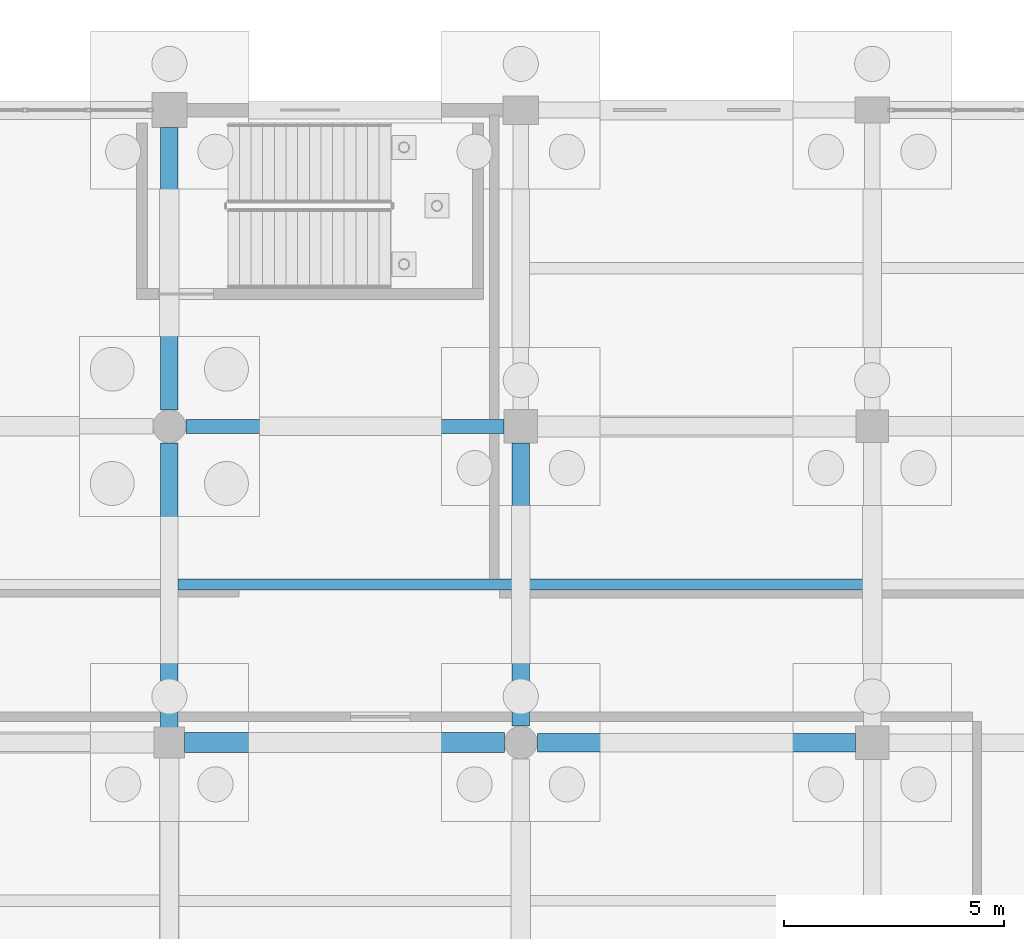
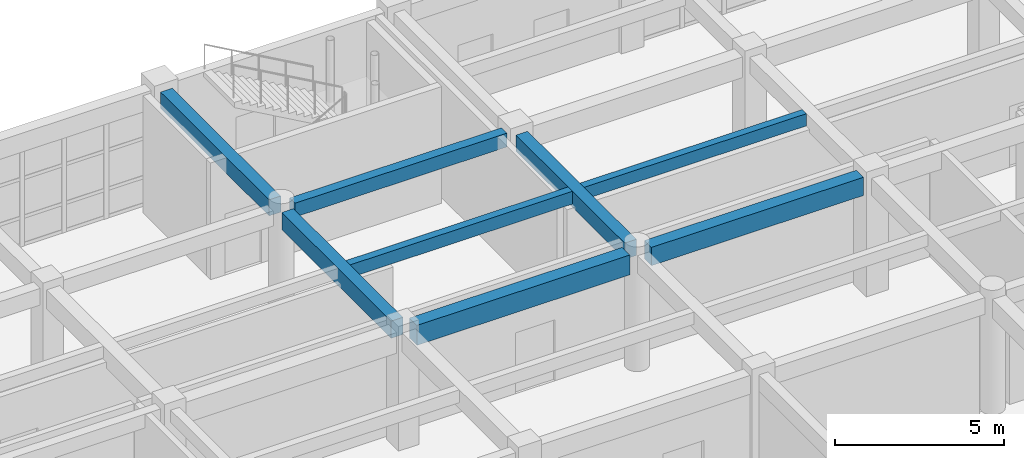
# One storey, part 100 of 166: 8 beams.
"""IFC4 building model written with IfcOpenShell, lengths in metres."""

import ifcopenshell
import ifcopenshell.guid

model = None  # the IFC model being written
_history = None  # IfcOwnerHistory: only IFC2X3 demands one
_inside = {}  # id of a spatial element -> (the spatial element, [elements in it])
_under = {}  # id of a project, library or spatial element -> (it, [spatial elements below it])
_declared = {}  # id of a project -> (the project, [libraries it declares])
_typed = {}  # id of a type object -> (the type object, [elements of that type])
_made_of = {}  # id of a material, layer set ... -> (it, [elements and type objects made of it])


def new_model(schema):
    """Start an empty IFC model of exactly this schema.

    Asked for "IFC4X3", IfcOpenShell would pick the latest addendum, in which some entities
    have other attributes; the version numbers below select the first issue.
    IFC2X3 requires an IfcOwnerHistory on every rooted entity: one is made here for all.
    """
    global model, _history
    if schema == "IFC4X3":
        model = ifcopenshell.file(schema_version=(4, 3, 0, 0))
    else:
        model = ifcopenshell.file(schema=schema)
    _inside.clear()
    _under.clear()
    _declared.clear()
    _typed.clear()
    _made_of.clear()
    _history = None
    if model.schema == "IFC2X3":
        org = make("IfcOrganization", Name="unknown")
        user = make(
            "IfcPersonAndOrganization",
            ThePerson=make("IfcPerson", FamilyName="unknown"),
            TheOrganization=org,
        )
        app = make(
            "IfcApplication",
            ApplicationDeveloper=org,
            Version="unknown",
            ApplicationFullName="unknown",
            ApplicationIdentifier="unknown",
        )
        _history = make(
            "IfcOwnerHistory",
            OwningUser=user,
            OwningApplication=app,
            ChangeAction="ADDED",
            CreationDate=0,
        )
    return model


def make(cls, **values):
    """One entity of the class cls with the attributes given. An attribute that is None is left unset."""
    return model.create_entity(
        cls, **{name: value for name, value in values.items() if value is not None}
    )


def rooted(cls, **values):
    """An entity with a GlobalId (a new one), such as an element, a storey or a relation."""
    return make(cls, GlobalId=ifcopenshell.guid.new(), OwnerHistory=_history, **values)


def si_unit(unit_type, name, prefix=None):
    """IfcSIUnit, for example si_unit("LENGTHUNIT", "METRE", prefix="MILLI")."""
    return make("IfcSIUnit", UnitType=unit_type, Prefix=prefix, Name=name)


def assignment(units):
    """IfcUnitAssignment: the units of a project."""
    return None if units is None else make("IfcUnitAssignment", Units=units)


def point(xyz):
    """IfcCartesianPoint."""
    return None if xyz is None else make("IfcCartesianPoint", Coordinates=xyz)


def direction(xyz):
    """IfcDirection."""
    return None if xyz is None else make("IfcDirection", DirectionRatios=xyz)


def frame(location, z_axis=None, x_axis=None):
    """IfcAxis2Placement3D, a coordinate frame: its origin and axes. An axis left out is left unset."""
    return make(
        "IfcAxis2Placement3D",
        Location=point(location),
        Axis=direction(z_axis),
        RefDirection=direction(x_axis),
    )


def frame_2d(location, x_axis=None):
    """IfcAxis2Placement2D, a coordinate frame in the plane: its origin and x axis."""
    return make(
        "IfcAxis2Placement2D", Location=point(location), RefDirection=direction(x_axis)
    )


def origin():
    """The frame at (0, 0, 0) with its axes left unset."""
    return frame((0.0, 0.0, 0.0))


def origin_2d():
    """The frame at (0, 0) in the plane with its x axis left unset."""
    return frame_2d((0.0, 0.0))


def place(relative_to, where):
    """IfcLocalPlacement: puts the frame where relative to a parent placement (None: the world)."""
    return make(
        "IfcLocalPlacement", PlacementRelTo=relative_to, RelativePlacement=where
    )


def context(
    kind, dimensions, precision=None, world=None, true_north=None, identifier=None
):
    """IfcGeometricRepresentationContext, for example the 3D "Model" context."""
    return make(
        "IfcGeometricRepresentationContext",
        ContextIdentifier=identifier,
        ContextType=kind,
        CoordinateSpaceDimension=dimensions,
        Precision=precision,
        WorldCoordinateSystem=world,
        TrueNorth=true_north,
    )


def subcontext(parent, identifier, kind, view, scale=None):
    """IfcGeometricRepresentationSubContext, for example "Body" below "Model"."""
    return make(
        "IfcGeometricRepresentationSubContext",
        ContextIdentifier=identifier,
        ContextType=kind,
        ParentContext=parent,
        TargetScale=scale,
        TargetView=view,
    )


def project(units=None, contexts=None):
    """IfcProject with its units and contexts."""
    return rooted(
        "IfcProject",
        Name="project",
        RepresentationContexts=contexts,
        UnitsInContext=assignment(units),
    )


def spatial(cls, under=None, at=None, **own):
    """A site, building, storey or space (cls), placed at a placement, below another one or the project."""
    s = rooted(cls, ObjectPlacement=at, **own)
    if under is not None:
        _under.setdefault(under.id(), (under, []))[1].append(s)
    return s


def profile(cls, at=None, kind="AREA", **sizes):
    """A parametric profile (cls). Its sizes go by their IFC names, for example OverallWidth=200.0."""
    return make(cls, ProfileType=kind, Position=at, **sizes)


def rectangle(**sizes):
    """IfcRectangleProfileDef."""
    return profile("IfcRectangleProfileDef", **sizes)


def extrude(swept, where, along, depth):
    """IfcExtrudedAreaSolid: the profile swept, set in the frame where, extruded along a direction by depth."""
    return make(
        "IfcExtrudedAreaSolid",
        SweptArea=swept,
        Position=where,
        ExtrudedDirection=direction(along),
        Depth=depth,
    )


def shape(context_of_items, identifier, shape_type, items):
    """IfcShapeRepresentation: the items that make up one representation, for example the "Body"."""
    return make(
        "IfcShapeRepresentation",
        ContextOfItems=context_of_items,
        RepresentationIdentifier=identifier,
        RepresentationType=shape_type,
        Items=items,
    )


def material(Name=None, Category=None):
    """IfcMaterial."""
    return make("IfcMaterial", Name=Name, Category=Category)


def material_profile(
    of_material, cross_section, Name=None, Category=None, Priority=None
):
    """IfcMaterialProfile: a cross section and its material."""
    return make(
        "IfcMaterialProfile",
        Name=Name,
        Material=of_material,
        Profile=cross_section,
        Priority=Priority,
        Category=Category,
    )


def profile_set(profiles, Name=None, composite=None):
    """IfcMaterialProfileSet."""
    return make(
        "IfcMaterialProfileSet",
        Name=Name,
        MaterialProfiles=profiles,
        CompositeProfile=composite,
    )


def made_of(thing, what):
    """Note that an element or type object is made of a material, layer set ...; save() writes the relation."""
    if what is not None:
        _made_of.setdefault(what.id(), (what, []))[1].append(thing)
    return thing


def type_object(cls, material=None, **own):
    """A type object (cls), such as IfcWallType, which elements share."""
    return made_of(rooted(cls, **own), material)


def element(
    cls,
    number,
    at=None,
    inside=None,
    cuts=None,
    type_object=None,
    material=None,
    context=None,
    identifier="Body",
    shape_type=None,
    held_by="IfcProductDefinitionShape",
    body=None,
    shapes=None,
    **own,
):
    """One element of the class cls, such as IfcWall. Its Tag is "e" and its number.

    at: its placement. inside: the storey or other place that contains it. cuts: it is an
    opening in that element (IfcRelVoidsElement). A single representation is given by context,
    identifier, shape_type and body (its items); several are given by shapes. held_by: the class
    of the entity that holds the representations. save() writes the other relations.
    """
    e = rooted(cls, Tag="e%d" % number, ObjectPlacement=at, **own)
    if body is not None:
        shapes = [shape(context, identifier, shape_type, body)]
    if shapes is not None:
        e.Representation = make(held_by, Representations=shapes)
    if inside is not None:
        _inside.setdefault(inside.id(), (inside, []))[1].append(e)
    if cuts is not None:
        rooted(
            "IfcRelVoidsElement", RelatingBuildingElement=cuts, RelatedOpeningElement=e
        )
    if type_object is not None:
        _typed.setdefault(type_object.id(), (type_object, []))[1].append(e)
    return made_of(e, material)


def aggregate(whole, parts):
    """IfcRelAggregates: a whole, such as a stair, and the parts it consists of."""
    return rooted("IfcRelAggregates", RelatingObject=whole, RelatedObjects=parts)


def save(model, path):
    """Write the relations noted so far, then the file.

    IfcRelAggregates (storeys below a building ...), IfcRelContainedInSpatialStructure (elements
    in a storey), IfcRelDefinesByType, IfcRelAssociatesMaterial and IfcRelDeclares: one each for
    every whole, place, type object, material and project.
    """
    for whole, parts in _under.values():
        aggregate(whole, parts)
    for where, things in _inside.values():
        rooted(
            "IfcRelContainedInSpatialStructure",
            RelatedElements=things,
            RelatingStructure=where,
        )
    for kind, things in _typed.values():
        rooted("IfcRelDefinesByType", RelatedObjects=things, RelatingType=kind)
    for what, things in _made_of.values():
        rooted("IfcRelAssociatesMaterial", RelatedObjects=things, RelatingMaterial=what)
    for by, libraries in _declared.values():
        rooted("IfcRelDeclares", RelatingContext=by, RelatedDefinitions=libraries)
    model.write(path)


model = new_model("IFC4")

# Units and contexts
model_context = context("Model", 3, precision=1e-05, world=origin(), true_north=direction((0.0, 1.0)))
body_context = subcontext(model_context, "Body", "Model", "MODEL_VIEW")
ifc_project = project(units=[si_unit("LENGTHUNIT", "METRE"), si_unit("AREAUNIT", "SQUARE_METRE"), si_unit("VOLUMEUNIT", "CUBIC_METRE"), si_unit("PLANEANGLEUNIT", "RADIAN"), si_unit("MASSUNIT", "GRAM", prefix="KILO")], contexts=[model_context])

# Site, building, storey
site_placement = place(None, origin())
site = spatial("IfcSite", under=ifc_project, at=site_placement, CompositionType="ELEMENT")
building_placement = place(site_placement, origin())
building = spatial("IfcBuilding", under=site, at=building_placement, Name="Kharva Crest Polytechnic", CompositionType="ELEMENT")
storey_placement = place(building_placement, origin())
storey = spatial("IfcBuildingStorey", under=building, at=storey_placement, Name="L00", CompositionType="ELEMENT", Elevation=0.0)

# Beams
ifc_material = material(Name="Concrete C35/45", Category="concrete")
ifc_material_profile_1 = material_profile(ifc_material, rectangle(XDim=0.320068359375, YDim=0.5, at=origin_2d()), Name="RECT 320 X 500")
ifc_profile_set_1 = profile_set([ifc_material_profile_1], Name="Concrete C35/45")
beam_type_1 = type_object("IfcBeamType", Name="BM-RC-320X500", PredefinedType="BEAM", material=ifc_profile_set_1)
beam_1_placement = place(storey_placement, frame((145.175048828125, 114.800048828125, 3.969970703125), z_axis=(1.0, 0.0, 0.0), x_axis=(0.0, 1.0, 0.0)))
element("IfcBeam", 1, at=beam_1_placement, inside=storey, type_object=beam_type_1, Name="L00 Beam R/19-20", PredefinedType="BEAM", context=body_context, shape_type="SweptSolid", body=[
    extrude(rectangle(XDim=0.320068359375, YDim=0.5, at=origin_2d()), origin(), (0.0, 0.0, 1.0), 7.244873046875),
])
ifc_material_profile_2 = material_profile(ifc_material, rectangle(XDim=0.39990234375, YDim=0.580078125, at=origin_2d()), Name="RECT 400 X 580")
ifc_profile_set_2 = profile_set([ifc_material_profile_2], Name="Concrete C35/45")
beam_type_2 = type_object("IfcBeamType", Name="BM-RC-400X580", PredefinedType="BEAM", material=ifc_profile_set_2)
beam_2_placement = place(storey_placement, frame((144.800048828125, 115.175048828125, 3.929931640625), z_axis=(0.0, 1.0, 0.0), x_axis=(-1.0, 0.0, 0.0)))
element("IfcBeam", 2, at=beam_2_placement, inside=storey, type_object=beam_type_2, Name="L00 Girder 19/R-S", PredefinedType="BEAM", context=body_context, shape_type="SweptSolid", body=[
    extrude(rectangle(XDim=0.39990234375, YDim=0.580078125, at=origin_2d()), origin(), (0.0, 0.0, 1.0), 6.425048828125),
])
beam_3_placement = place(storey_placement, frame((152.800048828125, 107.97509765625, 3.929931640625), z_axis=(0.0, 1.0, 0.0), x_axis=(-1.0, 0.0, 0.0)))
element("IfcBeam", 3, at=beam_3_placement, inside=storey, type_object=beam_type_2, Name="L00 Girder 20/Q-R", PredefinedType="BEAM", context=body_context, shape_type="SweptSolid", body=[
    extrude(rectangle(XDim=0.39990234375, YDim=0.580078125, at=origin_2d()), origin(), (0.0, 0.0, 1.0), 6.44482421875),
])
ifc_material_profile_3 = material_profile(ifc_material, rectangle(XDim=0.39990234375, YDim=0.6201171875, at=origin_2d()), Name="RECT 400 X 620")
ifc_profile_set_3 = profile_set([ifc_material_profile_3], Name="Concrete C35/45")
beam_type_3 = type_object("IfcBeamType", Name="BM-RC-400X620", PredefinedType="BEAM", material=ifc_profile_set_3)
beam_4_placement = place(storey_placement, frame((144.800048828125, 107.949951171875, 3.909912109375), z_axis=(0.0, 1.0, 0.0), x_axis=(-1.0, 0.0, 0.0)))
element("IfcBeam", 4, at=beam_4_placement, inside=storey, type_object=beam_type_3, Name="L00 Girder 19/Q-R", PredefinedType="BEAM", context=body_context, shape_type="SweptSolid", body=[
    extrude(rectangle(XDim=0.39990234375, YDim=0.6201171875, at=origin_2d()), origin(), (0.0, 0.0, 1.0), 6.47509765625),
])
ifc_material_profile_4 = material_profile(ifc_material, rectangle(XDim=0.419921875, YDim=0.659912109375, at=origin_2d()), Name="RECT 420 X 660")
ifc_profile_set_4 = profile_set([ifc_material_profile_4], Name="Concrete C35/45")
beam_type_4 = type_object("IfcBeamType", Name="BM-RC-420X660", PredefinedType="BEAM", material=ifc_profile_set_4)
beam_5_placement = place(storey_placement, frame((153.175048828125, 107.60009765625, 3.889892578125), z_axis=(1.0, 0.0, 0.0), x_axis=(0.0, 1.0, 0.0)))
element("IfcBeam", 5, at=beam_5_placement, inside=storey, type_object=beam_type_4, Name="L00 Beam Q/20-21", PredefinedType="BEAM", context=body_context, shape_type="SweptSolid", body=[
    extrude(rectangle(XDim=0.419921875, YDim=0.659912109375, at=origin_2d()), origin(), (0.0, 0.0, 1.0), 7.244873046875),
])
ifc_material_profile_5 = material_profile(ifc_material, rectangle(XDim=0.449951171875, YDim=0.719970703125, at=origin_2d()), Name="RECT 450 X 720")
ifc_profile_set_5 = profile_set([ifc_material_profile_5], Name="Concrete C35/45")
beam_type_5 = type_object("IfcBeamType", Name="BM-RC-450X720", PredefinedType="BEAM", material=ifc_profile_set_5)
beam_6_placement = place(storey_placement, frame((145.14990234375, 107.60009765625, 3.860107421875), z_axis=(1.0, 0.0, 0.0), x_axis=(0.0, 1.0, 0.0)))
element("IfcBeam", 6, at=beam_6_placement, inside=storey, type_object=beam_type_5, Name="L00 Beam Q/19-20", PredefinedType="BEAM", context=body_context, shape_type="SweptSolid", body=[
    extrude(rectangle(XDim=0.449951171875, YDim=0.719970703125, at=origin_2d()), origin(), (0.0, 0.0, 1.0), 7.275146484375),
])
ifc_material_profile_6 = material_profile(ifc_material, rectangle(XDim=0.25, YDim=0.43994140625, at=origin_2d()), Name="RECT 250 X 440")
ifc_profile_set_6 = profile_set([ifc_material_profile_6], Name="Concrete C35/45")
beam_type_6 = type_object("IfcBeamType", Name="JS-RC-250X440", PredefinedType="JOIST", material=ifc_profile_set_6)
beam_7_placement = place(storey_placement, frame((153.0, 111.199951171875, 4.0), z_axis=(1.0, 0.0, 0.0), x_axis=(0.0, 1.0, 0.0)))
element("IfcBeam", 7, at=beam_7_placement, inside=storey, type_object=beam_type_6, Name="L00 Floor Joist 40", PredefinedType="JOIST", context=body_context, shape_type="SweptSolid", body=[
    extrude(rectangle(XDim=0.25, YDim=0.43994140625, at=origin_2d()), origin(), (0.0, 0.0, 1.0), 7.60009765625),
])
ifc_material_profile_7 = material_profile(ifc_material, rectangle(XDim=0.260009765625, YDim=0.4599609375, at=origin_2d()), Name="RECT 260 X 460")
ifc_profile_set_7 = profile_set([ifc_material_profile_7], Name="Concrete C35/45")
beam_type_7 = type_object("IfcBeamType", Name="JS-RC-260X460", PredefinedType="JOIST", material=ifc_profile_set_7)
beam_8_placement = place(storey_placement, frame((145.0, 111.199951171875, 3.989990234375), z_axis=(1.0, 0.0, 0.0), x_axis=(0.0, 1.0, 0.0)))
element("IfcBeam", 8, at=beam_8_placement, inside=storey, type_object=beam_type_7, Name="L00 Floor Joist 39", PredefinedType="JOIST", context=body_context, shape_type="SweptSolid", body=[
    extrude(rectangle(XDim=0.260009765625, YDim=0.4599609375, at=origin_2d()), origin(), (0.0, 0.0, 1.0), 7.60009765625),
])

save(model, "model.ifc")
